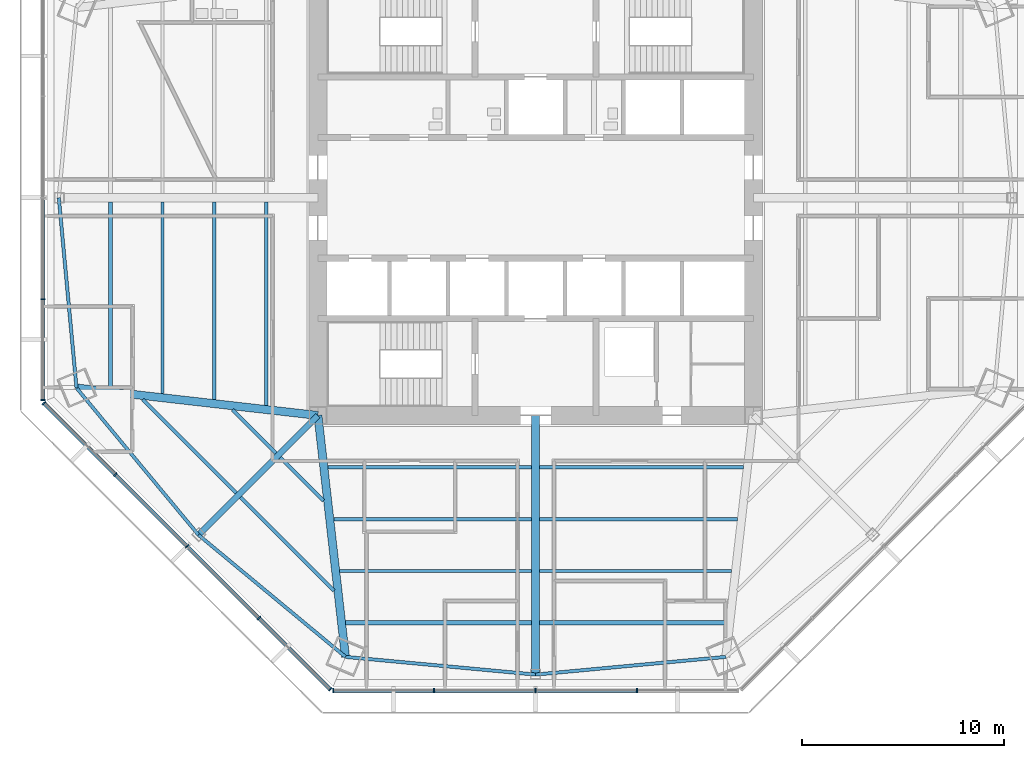
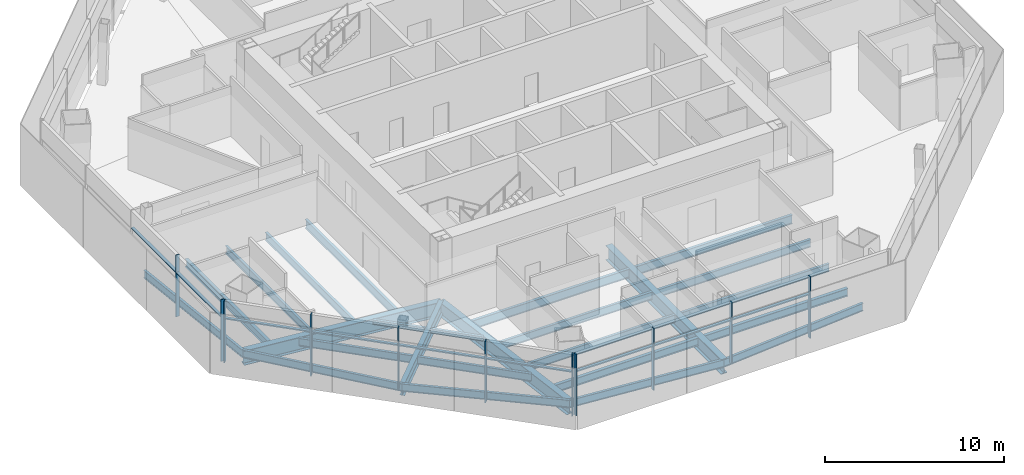
# One storey, part 2 of 15: 25 beams, 20 members, 3 elements without a shape of their own.
"""IFC4 building model written with IfcOpenShell, lengths in metres."""

from ifc_helpers import new_model, si_unit, direction, frame, origin, origin_2d, place, context, subcontext, project, spatial, rectangle, i_section, extrude, source, transform, mapped, material, material_profile, profile_set, type_object, type_shapes, element, aggregate, save


model = new_model("IFC4")

# Units and contexts
model_context = context("Model", 3, precision=1e-05, world=origin(), true_north=direction((0.0, 1.0)))
body_context = subcontext(model_context, "Body", "Model", "MODEL_VIEW")
ifc_project = project(units=[si_unit("LENGTHUNIT", "METRE"), si_unit("AREAUNIT", "SQUARE_METRE"), si_unit("VOLUMEUNIT", "CUBIC_METRE"), si_unit("PLANEANGLEUNIT", "RADIAN"), si_unit("MASSUNIT", "GRAM", prefix="KILO")], contexts=[model_context])

# Site, building, storey
site_placement = place(None, origin())
site = spatial("IfcSite", under=ifc_project, at=site_placement, CompositionType="ELEMENT")
building_placement = place(site_placement, origin())
building = spatial("IfcBuilding", under=site, at=building_placement, Name="Mashrafa Tower", CompositionType="ELEMENT")
storey_placement = place(building_placement, frame((0.0, 0.0, 126.0)))
storey = spatial("IfcBuildingStorey", under=building, at=storey_placement, Name="L28", CompositionType="ELEMENT", Elevation=126.0)

# Beams
ifc_material_1 = material(Name="Steel ASTM A992", Category="steel")
ifc_material_profile_1 = material_profile(ifc_material_1, i_section(OverallWidth=0.164794921875, OverallDepth=0.309814453125, WebThickness=0.005859375, FlangeThickness=0.009765625, FilletRadius=0.007568359375, at=origin_2d()), Name="W12X26")
ifc_profile_set_1 = profile_set([ifc_material_profile_1], Name="Steel ASTM A992")
beam_type_1 = type_object("IfcBeamType", Name="Beam W12X26", PredefinedType="BEAM", material=ifc_profile_set_1)
for number, where, z_axis, x_axis, name in (
    (1, (-12.87890625, -12.672119140625, -0.31982421875), (-0.707106781187, 0.707106781187, 0.0), (-0.707106781187, -0.707106781187, 0.0), "Floor beam L28 013"),
    (2, (-10.51953125, -15.031494140625, -0.31982421875), (-0.707106781187, 0.707106781187, 0.0), (-0.707106781187, -0.707106781187, 0.0), "Floor beam L28 016"),
):
    element("IfcBeam", number, at=place(storey_placement, frame(where, z_axis=z_axis, x_axis=x_axis)), inside=storey, type_object=beam_type_1, Name=name, PredefinedType="BEAM", context=body_context, shape_type="SweptSolid", body=[
        extrude(i_section(OverallWidth=0.164794921875, OverallDepth=0.309814453125, WebThickness=0.005859375, FlangeThickness=0.009765625, FilletRadius=0.007568359375, at=origin_2d()), origin(), (0.0, 0.0, 1.0), 3.044189453125),
    ])
ifc_material_2 = material(Name="Steel ASTM A992", Category="steel")
ifc_material_profile_2 = material_profile(ifc_material_2, i_section(OverallWidth=0.1650390625, OverallDepth=0.52587890625, WebThickness=0.0087890625, FlangeThickness=0.011474609375, FilletRadius=0.0126953125, at=origin_2d()), Name="W21X44")
ifc_profile_set_2 = profile_set([ifc_material_profile_2], Name="Steel ASTM A992")
beam_type_2 = type_object("IfcBeamType", Name="Beam W21X44", PredefinedType="BEAM", material=ifc_profile_set_2)
beam_1_placement = place(storey_placement, frame((-18.512939453125, -9.718505859375, -0.427978515625), z_axis=(0.0, 1.0, 0.0), x_axis=(-1.0, 0.0, 0.0)))
element("IfcBeam", 3, at=beam_1_placement, inside=storey, type_object=beam_type_2, Name="Floor beam L28 004", PredefinedType="BEAM", context=body_context, shape_type="SweptSolid", body=[
    extrude(i_section(OverallWidth=0.1650390625, OverallDepth=0.52587890625, WebThickness=0.0087890625, FlangeThickness=0.011474609375, FilletRadius=0.0126953125, at=origin_2d()), origin(), (0.0, 0.0, 1.0), 9.517822265625),
])
beam_2_placement = place(storey_placement, frame((-15.94189453125, -10.01171875, -0.427978515625), z_axis=(0.0, 1.0, 0.0), x_axis=(-1.0, 0.0, 0.0)))
element("IfcBeam", 4, at=beam_2_placement, inside=storey, type_object=beam_type_2, Name="Floor beam L28 006", PredefinedType="BEAM", context=body_context, shape_type="SweptSolid", body=[
    extrude(i_section(OverallWidth=0.1650390625, OverallDepth=0.52587890625, WebThickness=0.0087890625, FlangeThickness=0.011474609375, FilletRadius=0.0126953125, at=origin_2d()), origin(), (0.0, 0.0, 1.0), 9.81103515625),
])
for number, where, z_axis, x_axis, name in (
    (5, (-14.8544921875, -14.647705078125, -0.427978515625), (-0.707106781187, 0.707106781187, 0.0), (-0.707106781187, -0.707106781187, 0.0), "Floor beam L28 009"),
    (6, (-10.010986328125, -19.4912109375, -0.427978515625), (-0.707106781187, 0.707106781187, 0.0), (-0.707106781187, -0.707106781187, 0.0), "Floor beam L28 019"),
):
    element("IfcBeam", number, at=place(storey_placement, frame(where, z_axis=z_axis, x_axis=x_axis)), inside=storey, type_object=beam_type_2, Name=name, PredefinedType="BEAM", context=body_context, shape_type="SweptSolid", body=[
        extrude(i_section(OverallWidth=0.1650390625, OverallDepth=0.52587890625, WebThickness=0.0087890625, FlangeThickness=0.011474609375, FilletRadius=0.0126953125, at=origin_2d()), origin(), (0.0, 0.0, 1.0), 6.557373046875),
    ])
beam_3_placement = place(storey_placement, frame((-0.20068359375, -18.512939453125, -0.427978515625), z_axis=(-1.0, 0.0, 0.0), x_axis=(0.0, -1.0, 0.0)))
element("IfcBeam", 7, at=beam_3_placement, inside=storey, type_object=beam_type_2, Name="Floor beam L28 022", PredefinedType="BEAM", context=body_context, shape_type="SweptSolid", body=[
    extrude(i_section(OverallWidth=0.1650390625, OverallDepth=0.52587890625, WebThickness=0.0087890625, FlangeThickness=0.011474609375, FilletRadius=0.0126953125, at=origin_2d()), origin(), (0.0, 0.0, 1.0), 9.517822265625),
])
beam_4_placement = place(storey_placement, frame((-0.20068359375, -15.94189453125, -0.427978515625), z_axis=(-1.0, 0.0, 0.0), x_axis=(0.0, -1.0, 0.0)))
element("IfcBeam", 8, at=beam_4_placement, inside=storey, type_object=beam_type_2, Name="Floor beam L28 023", PredefinedType="BEAM", context=body_context, shape_type="SweptSolid", body=[
    extrude(i_section(OverallWidth=0.1650390625, OverallDepth=0.52587890625, WebThickness=0.0087890625, FlangeThickness=0.011474609375, FilletRadius=0.0126953125, at=origin_2d()), origin(), (0.0, 0.0, 1.0), 9.81103515625),
])
beam_5_placement = place(storey_placement, frame((9.718505859375, -18.512939453125, -0.427978515625), z_axis=(-1.0, 0.0, 0.0), x_axis=(0.0, -1.0, 0.0)))
element("IfcBeam", 9, at=beam_5_placement, inside=storey, type_object=beam_type_2, Name="Floor beam L28 031", PredefinedType="BEAM", context=body_context, shape_type="SweptSolid", body=[
    extrude(i_section(OverallWidth=0.1650390625, OverallDepth=0.52587890625, WebThickness=0.0087890625, FlangeThickness=0.011474609375, FilletRadius=0.0126953125, at=origin_2d()), origin(), (0.0, 0.0, 1.0), 9.517822265625),
])
beam_6_placement = place(storey_placement, frame((10.01171875, -15.94189453125, -0.427978515625), z_axis=(-1.0, 0.0, 0.0), x_axis=(0.0, -1.0, 0.0)))
element("IfcBeam", 10, at=beam_6_placement, inside=storey, type_object=beam_type_2, Name="Floor beam L28 032", PredefinedType="BEAM", context=body_context, shape_type="SweptSolid", body=[
    extrude(i_section(OverallWidth=0.1650390625, OverallDepth=0.52587890625, WebThickness=0.0087890625, FlangeThickness=0.011474609375, FilletRadius=0.0126953125, at=origin_2d()), origin(), (0.0, 0.0, 1.0), 9.81103515625),
])
beam_7_placement = place(storey_placement, frame((-23.655029296875, 0.0, -0.427978515625), z_axis=(0.092679804998, -0.995695964512, 0.0), x_axis=(0.995695964512, 0.092679804998, 0.0)))
element("IfcBeam", 11, at=beam_7_placement, inside=storey, type_object=beam_type_2, Name="Spandrel beam L28 065", PredefinedType="BEAM", context=body_context, shape_type="SweptSolid", body=[
    extrude(i_section(OverallWidth=0.1650390625, OverallDepth=0.52587890625, WebThickness=0.0087890625, FlangeThickness=0.011474609375, FilletRadius=0.0126953125, at=origin_2d()), origin(), (0.0, 0.0, 1.0), 9.475341796875),
])
for number, where, z_axis, x_axis, name in (
    (12, (-22.77685546875, -9.4345703125, -0.427978515625), (0.63854065146, -0.769588095303, 0.0), (0.769588095303, 0.63854065146, 0.0), "Spandrel beam L28 066"),
    (13, (-16.7265625, -16.7265625, -0.427978515625), (0.769588095303, -0.63854065146, 0.0), (0.63854065146, 0.769588095303, 0.0), "Spandrel beam L28 068"),
):
    element("IfcBeam", number, at=place(storey_placement, frame(where, z_axis=z_axis, x_axis=x_axis)), inside=storey, type_object=beam_type_2, Name=name, PredefinedType="BEAM", context=body_context, shape_type="SweptSolid", body=[
        extrude(i_section(OverallWidth=0.1650390625, OverallDepth=0.52587890625, WebThickness=0.0087890625, FlangeThickness=0.011474609375, FilletRadius=0.0126953125, at=origin_2d()), origin(), (0.0, 0.0, 1.0), 9.47509765625),
    ])
for number, where, z_axis, x_axis, name in (
    (14, (-9.4345703125, -22.77685546875, -0.427978515625), (0.995695964512, -0.092679804998, 0.0), (0.092679804998, 0.995695964512, 0.0), "Spandrel beam L28 070"),
    (15, (0.0, -23.655029296875, -0.427978515625), (0.995695964512, 0.092679804998, 0.0), (-0.092679804998, 0.995695964512, 0.0), "Spandrel beam L28 072"),
):
    element("IfcBeam", number, at=place(storey_placement, frame(where, z_axis=z_axis, x_axis=x_axis)), inside=storey, type_object=beam_type_2, Name=name, PredefinedType="BEAM", context=body_context, shape_type="SweptSolid", body=[
        extrude(i_section(OverallWidth=0.1650390625, OverallDepth=0.52587890625, WebThickness=0.0087890625, FlangeThickness=0.011474609375, FilletRadius=0.0126953125, at=origin_2d()), origin(), (0.0, 0.0, 1.0), 9.475341796875),
    ])
ifc_material_3 = material(Name="Steel ASTM A992", Category="steel")
ifc_material_profile_3 = material_profile(ifc_material_3, i_section(OverallWidth=0.209228515625, OverallDepth=0.533447265625, WebThickness=0.01025390625, FlangeThickness=0.015625, FilletRadius=0.012939453125, at=origin_2d()), Name="W21X62")
ifc_profile_set_3 = profile_set([ifc_material_profile_3], Name="Steel ASTM A992")
beam_type_3 = type_object("IfcBeamType", Name="Beam W21X62", PredefinedType="BEAM", material=ifc_profile_set_3)
for number, where, z_axis, x_axis, name in (
    (16, (-21.083984375, -9.425537109375, -0.431640625), (0.0, 1.0, 0.0), (-1.0, 0.0, 0.0), "Floor beam L28 001"),
    (17, (-0.20068359375, -21.083984375, -0.431640625), (-1.0, 0.0, 0.0), (0.0, -1.0, 0.0), "Floor beam L28 021"),
    (18, (9.425537109375, -21.083984375, -0.431640625), (-1.0, 0.0, 0.0), (0.0, -1.0, 0.0), "Floor beam L28 029"),
):
    element("IfcBeam", number, at=place(storey_placement, frame(where, z_axis=z_axis, x_axis=x_axis)), inside=storey, type_object=beam_type_3, Name=name, PredefinedType="BEAM", context=body_context, shape_type="SweptSolid", body=[
        extrude(i_section(OverallWidth=0.209228515625, OverallDepth=0.533447265625, WebThickness=0.01025390625, FlangeThickness=0.015625, FilletRadius=0.012939453125, at=origin_2d()), origin(), (0.0, 0.0, 1.0), 9.224853515625),
    ])
ifc_material_4 = material(Name="Steel ASTM A992", Category="steel")
ifc_material_profile_4 = material_profile(ifc_material_4, i_section(OverallWidth=0.177978515625, OverallDepth=0.599365234375, WebThickness=0.010009765625, FlangeThickness=0.012939453125, FilletRadius=0.012939453125, at=origin_2d()), Name="W24X55")
ifc_profile_set_4 = profile_set([ifc_material_profile_4], Name="Steel ASTM A992")
beam_type_4 = type_object("IfcBeamType", Name="Beam W24X55", PredefinedType="BEAM", material=ifc_profile_set_4)
for number, where, z_axis, x_axis, name in (
    (19, (-13.37109375, -10.304931640625, -0.464599609375), (0.0, 1.0, 0.0), (-1.0, 0.0, 0.0), "Floor beam L28 011"),
    (20, (-0.20068359375, -13.37109375, -0.464599609375), (-1.0, 0.0, 0.0), (0.0, -1.0, 0.0), "Floor beam L28 024"),
    (21, (10.304931640625, -13.37109375, -0.464599609375), (-1.0, 0.0, 0.0), (0.0, -1.0, 0.0), "Floor beam L28 034"),
):
    element("IfcBeam", number, at=place(storey_placement, frame(where, z_axis=z_axis, x_axis=x_axis)), inside=storey, type_object=beam_type_4, Name=name, PredefinedType="BEAM", context=body_context, shape_type="SweptSolid", body=[
        extrude(i_section(OverallWidth=0.177978515625, OverallDepth=0.599365234375, WebThickness=0.010009765625, FlangeThickness=0.012939453125, FilletRadius=0.012939453125, at=origin_2d()), origin(), (0.0, 0.0, 1.0), 10.104248046875),
    ])
ifc_material_5 = material(Name="Steel ASTM A992", Category="steel")
ifc_material_profile_5 = material_profile(ifc_material_5, i_section(OverallWidth=0.2919921875, OverallDepth=0.8408203125, WebThickness=0.0146484375, FlangeThickness=0.021728515625, FilletRadius=0.017333984375, at=origin_2d()), Name="W33X130")
ifc_profile_set_5 = profile_set([ifc_material_profile_5], Name="Steel ASTM A992")
beam_type_5 = type_object("IfcBeamType", Name="Beam W33X130", PredefinedType="BEAM", material=ifc_profile_set_5)
beam_8_placement = place(storey_placement, frame((-10.800048828125, -10.800048828125, -0.58544921875), z_axis=(-0.707106781187, -0.707106781187, 0.0), x_axis=(0.707106781187, -0.707106781187, 0.0)))
element("IfcBeam", 22, at=beam_8_placement, inside=storey, type_object=beam_type_5, Name="Radial girder L28 050", PredefinedType="BEAM", context=body_context, shape_type="SweptSolid", body=[
    extrude(i_section(OverallWidth=0.2919921875, OverallDepth=0.8408203125, WebThickness=0.0146484375, FlangeThickness=0.021728515625, FilletRadius=0.017333984375, at=origin_2d()), origin(), (0.0, 0.0, 1.0), 8.38134765625),
])
ifc_material_6 = material(Name="Steel ASTM A992", Category="steel")
ifc_material_profile_6 = material_profile(ifc_material_6, i_section(OverallWidth=0.4013671875, OverallDepth=0.98291015625, WebThickness=0.0166015625, FlangeThickness=0.027099609375, FilletRadius=0.0126953125, at=origin_2d()), Name="W40X199")
ifc_profile_set_6 = profile_set([ifc_material_profile_6], Name="Steel ASTM A992")
beam_type_6 = type_object("IfcBeamType", Name="Beam W40X199", PredefinedType="BEAM", material=ifc_profile_set_6)
for number, where, z_axis, x_axis, name in (
    (23, (-10.800048828125, -10.800048828125, -0.656494140625), (-0.993563513553, 0.113276407675, 0.0), (-0.113276407675, -0.993563513553, 0.0), "Radial girder L28 049"),
    (24, (-10.800048828125, -10.800048828125, -0.656494140625), (0.113276407675, -0.993563513553, 0.0), (0.993563513553, 0.113276407675, 0.0), "Radial girder L28 051"),
):
    element("IfcBeam", number, at=place(storey_placement, frame(where, z_axis=z_axis, x_axis=x_axis)), inside=storey, type_object=beam_type_6, Name=name, PredefinedType="BEAM", context=body_context, shape_type="SweptSolid", body=[
        extrude(i_section(OverallWidth=0.4013671875, OverallDepth=0.98291015625, WebThickness=0.0166015625, FlangeThickness=0.027099609375, FilletRadius=0.0126953125, at=origin_2d()), origin(), (0.0, 0.0, 1.0), 12.054443359375),
    ])
ifc_material_7 = material(Name="Steel ASTM A992", Category="steel")
ifc_material_profile_7 = material_profile(ifc_material_7, i_section(OverallWidth=0.4013671875, OverallDepth=1.010986328125, WebThickness=0.023681640625, FlangeThickness=0.0419921875, FilletRadius=0.02001953125, at=origin_2d()), Name="W40X297")
ifc_profile_set_7 = profile_set([ifc_material_profile_7], Name="Steel ASTM A992")
beam_type_7 = type_object("IfcBeamType", Name="Beam W40X297", PredefinedType="BEAM", material=ifc_profile_set_7)
beam_9_placement = place(storey_placement, frame((0.0, -10.800048828125, -0.67041015625), z_axis=(0.0, -1.0, 0.0), x_axis=(1.0, 0.0, 0.0)))
element("IfcBeam", 25, at=beam_9_placement, inside=storey, type_object=beam_type_7, Name="Radial girder L28 056", PredefinedType="BEAM", context=body_context, shape_type="SweptSolid", body=[
    extrude(i_section(OverallWidth=0.4013671875, OverallDepth=1.010986328125, WebThickness=0.023681640625, FlangeThickness=0.0419921875, FilletRadius=0.02001953125, at=origin_2d()), origin(), (0.0, 0.0, 1.0), 12.85498046875),
])

# Curtain wall, members
ifc_material_8 = material(Name="Unitised aluminium curtain wall", Category="aluminium")
curtain_wall_type = type_object("IfcCurtainWallType", Name="Office curtain wall, zone 2 CW-B 225 deep", PredefinedType="NOTDEFINED", material=ifc_material_8)
curtain_wall_1_placement = place(storey_placement, origin())
curtain_wall_1 = element("IfcCurtainWall", 26, at=curtain_wall_1_placement, inside=storey, type_object=curtain_wall_type, Name="Office curtain wall, zone 2 L28 west", PredefinedType="NOTDEFINED")
ifc_material_9 = material(Name="Extruded aluminium mullion", Category="aluminium")
ifc_material_profile_8 = material_profile(ifc_material_9, rectangle(XDim=0.22509765625, YDim=0.06494140625, at=origin_2d()), Name="Mullion 65x225")
ifc_profile_set_8 = profile_set([ifc_material_profile_8], Name="Extruded aluminium mullion")
member_type_1 = type_object("IfcMemberType", Name="Mullion CW-B 65 x 225", PredefinedType="MULLION", material=ifc_profile_set_8)
shared_shape_1 = source(origin(), body_context, "Body", "SweptSolid", [
    extrude(rectangle(XDim=0.22509765625, YDim=0.06494140625, at=origin_2d()), origin(), (0.0, 0.0, 1.0), 4.199951171875),
])
type_shapes(member_type_1, [shared_shape_1])
member_1_placement = place(storey_placement, frame((-24.450439453125, -5.03564453125, 0.0), z_axis=(0.0, 0.0, 1.0), x_axis=(1.0, 0.0, 0.0)))
member_1 = element("IfcMember", 27, at=member_1_placement, type_object=member_type_1, Name="CW-B mullion 4", PredefinedType="MULLION", context=body_context, shape_type="MappedRepresentation", body=[
    mapped(shared_shape_1, transform((0.0, 0.0, 0.0))),
])
member_2_placement = place(storey_placement, frame((-24.450439453125, -10.03857421875, 0.0), z_axis=(0.0, 0.0, 1.0), x_axis=(1.0, 0.0, 0.0)))
member_2 = element("IfcMember", 28, at=member_2_placement, type_object=member_type_1, Name="CW-B mullion 5", PredefinedType="MULLION", context=body_context, shape_type="MappedRepresentation", body=[
    mapped(shared_shape_1, transform((0.0, 0.0, 0.0))),
])

curtain_wall_2_placement = place(storey_placement, origin())
curtain_wall_2 = element("IfcCurtainWall", 29, at=curtain_wall_2_placement, inside=storey, type_object=curtain_wall_type, Name="Office curtain wall, zone 2 L28 south-west", PredefinedType="NOTDEFINED")
member_3_placement = place(storey_placement, frame((-24.387451171875, -10.190673828125, 0.0), z_axis=(0.0, 0.0, 1.0), x_axis=(0.707106781187, 0.707106781187, 0.0)))
member_3 = element("IfcMember", 30, at=member_3_placement, type_object=member_type_1, Name="CW-B mullion 1", PredefinedType="MULLION", context=body_context, shape_type="MappedRepresentation", body=[
    mapped(shared_shape_1, transform((0.0, 0.0, 0.0))),
])
member_4_placement = place(storey_placement, frame((-20.849609375, -13.728271484375, 0.0), z_axis=(0.0, 0.0, 1.0), x_axis=(0.707106781187, 0.707106781187, 0.0)))
member_4 = element("IfcMember", 31, at=member_4_placement, type_object=member_type_1, Name="CW-B mullion 2", PredefinedType="MULLION", context=body_context, shape_type="MappedRepresentation", body=[
    mapped(shared_shape_1, transform((0.0, 0.0, 0.0))),
])
member_5_placement = place(storey_placement, frame((-17.2890625, -17.2890625, 0.0), z_axis=(0.0, 0.0, 1.0), x_axis=(0.707106781187, 0.707106781187, 0.0)))
member_5 = element("IfcMember", 32, at=member_5_placement, type_object=member_type_1, Name="CW-B mullion 3", PredefinedType="MULLION", context=body_context, shape_type="MappedRepresentation", body=[
    mapped(shared_shape_1, transform((0.0, 0.0, 0.0))),
])
member_6_placement = place(storey_placement, frame((-13.728271484375, -20.849609375, 0.0), z_axis=(0.0, 0.0, 1.0), x_axis=(0.707106781187, 0.707106781187, 0.0)))
member_6 = element("IfcMember", 33, at=member_6_placement, type_object=member_type_1, Name="CW-B mullion 4", PredefinedType="MULLION", context=body_context, shape_type="MappedRepresentation", body=[
    mapped(shared_shape_1, transform((0.0, 0.0, 0.0))),
])
member_7_placement = place(storey_placement, frame((-10.190673828125, -24.387451171875, 0.0), z_axis=(0.0, 0.0, 1.0), x_axis=(0.707106781187, 0.707106781187, 0.0)))
member_7 = element("IfcMember", 34, at=member_7_placement, type_object=member_type_1, Name="CW-B mullion 5", PredefinedType="MULLION", context=body_context, shape_type="MappedRepresentation", body=[
    mapped(shared_shape_1, transform((0.0, 0.0, 0.0))),
])

curtain_wall_3_placement = place(storey_placement, origin())
curtain_wall_3 = element("IfcCurtainWall", 35, at=curtain_wall_3_placement, inside=storey, type_object=curtain_wall_type, Name="Office curtain wall, zone 2 L28 south", PredefinedType="NOTDEFINED")
member_8_placement = place(storey_placement, frame((-10.03857421875, -24.450439453125, 0.0), z_axis=(0.0, 0.0, 1.0), x_axis=(0.0, 1.0, 0.0)))
member_8 = element("IfcMember", 36, at=member_8_placement, type_object=member_type_1, Name="CW-B mullion 1", PredefinedType="MULLION", context=body_context, shape_type="MappedRepresentation", body=[
    mapped(shared_shape_1, transform((0.0, 0.0, 0.0))),
])
member_9_placement = place(storey_placement, frame((-5.03564453125, -24.450439453125, 0.0), z_axis=(0.0, 0.0, 1.0), x_axis=(0.0, 1.0, 0.0)))
member_9 = element("IfcMember", 37, at=member_9_placement, type_object=member_type_1, Name="CW-B mullion 2", PredefinedType="MULLION", context=body_context, shape_type="MappedRepresentation", body=[
    mapped(shared_shape_1, transform((0.0, 0.0, 0.0))),
])
member_10_placement = place(storey_placement, frame((0.0, -24.450439453125, 0.0), z_axis=(0.0, 0.0, 1.0), x_axis=(0.0, 1.0, 0.0)))
member_10 = element("IfcMember", 38, at=member_10_placement, type_object=member_type_1, Name="CW-B mullion 3", PredefinedType="MULLION", context=body_context, shape_type="MappedRepresentation", body=[
    mapped(shared_shape_1, transform((0.0, 0.0, 0.0))),
])
member_11_placement = place(storey_placement, frame((5.03564453125, -24.450439453125, 0.0), z_axis=(0.0, 0.0, 1.0), x_axis=(0.0, 1.0, 0.0)))
member_11 = element("IfcMember", 39, at=member_11_placement, type_object=member_type_1, Name="CW-B mullion 4", PredefinedType="MULLION", context=body_context, shape_type="MappedRepresentation", body=[
    mapped(shared_shape_1, transform((0.0, 0.0, 0.0))),
])

# Member
ifc_material_10 = material(Name="Extruded aluminium transom", Category="aluminium")
ifc_material_profile_9 = material_profile(ifc_material_10, rectangle(XDim=0.179931640625, YDim=0.080078125, at=origin_2d()), Name="Transom 80x180")
ifc_profile_set_9 = profile_set([ifc_material_profile_9], Name="Extruded aluminium transom")
member_type_2 = type_object("IfcMemberType", Name="Transom CW-B 80 x 180", PredefinedType="MULLION", material=ifc_profile_set_9)
shared_shape_2 = source(origin(), body_context, "Body", "SweptSolid", [
    extrude(rectangle(XDim=0.179931640625, YDim=0.080078125, at=origin_2d()), origin(), (0.0, 0.0, 1.0), 4.93798828125),
])
member_12_placement = place(storey_placement, frame((-24.450439453125, -5.068115234375, 3.0), z_axis=(0.0, -1.0, 0.0), x_axis=(1.0, 0.0, 0.0)))
member_12 = element("IfcMember", 40, at=member_12_placement, type_object=member_type_2, Name="CW-B transom 4", PredefinedType="MULLION", context=body_context, shape_type="MappedRepresentation", body=[
    mapped(shared_shape_2, transform((0.0, 0.0, 0.0))),
])

member_13_placement = place(storey_placement, frame((-24.3642578125, -10.213623046875, 3.0), z_axis=(0.707106781187, -0.707106781187, 0.0), x_axis=(0.707106781187, 0.707106781187, 0.0)))
member_13 = element("IfcMember", 41, at=member_13_placement, type_object=member_type_2, Name="CW-B transom 1", PredefinedType="MULLION", context=body_context, shape_type="MappedRepresentation", body=[
    mapped(shared_shape_2, transform((0.0, 0.0, 0.0))),
])

member_14_placement = place(storey_placement, frame((-13.705322265625, -20.87255859375, 3.0), z_axis=(0.707106781187, -0.707106781187, 0.0), x_axis=(0.707106781187, 0.707106781187, 0.0)))
member_14 = element("IfcMember", 42, at=member_14_placement, type_object=member_type_2, Name="CW-B transom 4", PredefinedType="MULLION", context=body_context, shape_type="MappedRepresentation", body=[
    mapped(shared_shape_2, transform((0.0, 0.0, 0.0))),
])

member_15_placement = place(storey_placement, frame((-10.006103515625, -24.450439453125, 3.0), z_axis=(1.0, 0.0, 0.0), x_axis=(0.0, 1.0, 0.0)))
member_15 = element("IfcMember", 43, at=member_15_placement, type_object=member_type_2, Name="CW-B transom 1", PredefinedType="MULLION", context=body_context, shape_type="MappedRepresentation", body=[
    mapped(shared_shape_2, transform((0.0, 0.0, 0.0))),
])

shared_shape_3 = source(origin(), body_context, "Body", "SweptSolid", [
    extrude(rectangle(XDim=0.179931640625, YDim=0.080078125, at=origin_2d()), origin(), (0.0, 0.0, 1.0), 4.970458984375),
])
member_16_placement = place(storey_placement, frame((-24.450439453125, -0.032470703125, 3.0), z_axis=(0.0, -1.0, 0.0), x_axis=(1.0, 0.0, 0.0)))
member_16 = element("IfcMember", 44, at=member_16_placement, type_object=member_type_2, Name="CW-B transom 3", PredefinedType="MULLION", context=body_context, shape_type="MappedRepresentation", body=[
    mapped(shared_shape_3, transform((0.0, 0.0, 0.0))),
])

aggregate(curtain_wall_1, [member_1, member_2, member_16, member_12])

member_17_placement = place(storey_placement, frame((-5.0029296875, -24.450439453125, 3.0), z_axis=(1.0, 0.0, 0.0), x_axis=(0.0, 1.0, 0.0)))
member_17 = element("IfcMember", 45, at=member_17_placement, type_object=member_type_2, Name="CW-B transom 2", PredefinedType="MULLION", context=body_context, shape_type="MappedRepresentation", body=[
    mapped(shared_shape_3, transform((0.0, 0.0, 0.0))),
])

member_18_placement = place(storey_placement, frame((0.032470703125, -24.450439453125, 3.0), z_axis=(1.0, 0.0, 0.0), x_axis=(0.0, 1.0, 0.0)))
member_18 = element("IfcMember", 46, at=member_18_placement, type_object=member_type_2, Name="CW-B transom 3", PredefinedType="MULLION", context=body_context, shape_type="MappedRepresentation", body=[
    mapped(shared_shape_3, transform((0.0, 0.0, 0.0))),
])

aggregate(curtain_wall_3, [member_8, member_9, member_10, member_11, member_15, member_17, member_18])

shared_shape_4 = source(origin(), body_context, "Body", "SweptSolid", [
    extrude(rectangle(XDim=0.179931640625, YDim=0.080078125, at=origin_2d()), origin(), (0.0, 0.0, 1.0), 4.970703125),
])
type_shapes(member_type_2, [shared_shape_2, shared_shape_3, shared_shape_4])
member_19_placement = place(storey_placement, frame((-20.82666015625, -13.751220703125, 3.0), z_axis=(0.707082222472, -0.707131339048, 0.0), x_axis=(0.707131339048, 0.707082222472, 0.0)))
member_19 = element("IfcMember", 47, at=member_19_placement, type_object=member_type_2, Name="CW-B transom 2", PredefinedType="MULLION", context=body_context, shape_type="MappedRepresentation", body=[
    mapped(shared_shape_4, transform((0.0, 0.0, 0.0))),
])

member_20_placement = place(storey_placement, frame((-17.26611328125, -17.31201171875, 3.0), z_axis=(0.707131339048, -0.707082222472, 0.0), x_axis=(0.707082222472, 0.707131339048, 0.0)))
member_20 = element("IfcMember", 48, at=member_20_placement, type_object=member_type_2, Name="CW-B transom 3", PredefinedType="MULLION", context=body_context, shape_type="MappedRepresentation", body=[
    mapped(shared_shape_4, transform((0.0, 0.0, 0.0))),
])

aggregate(curtain_wall_2, [member_3, member_4, member_5, member_6, member_7, member_13, member_19, member_20, member_14])

save(model, "model.ifc")
